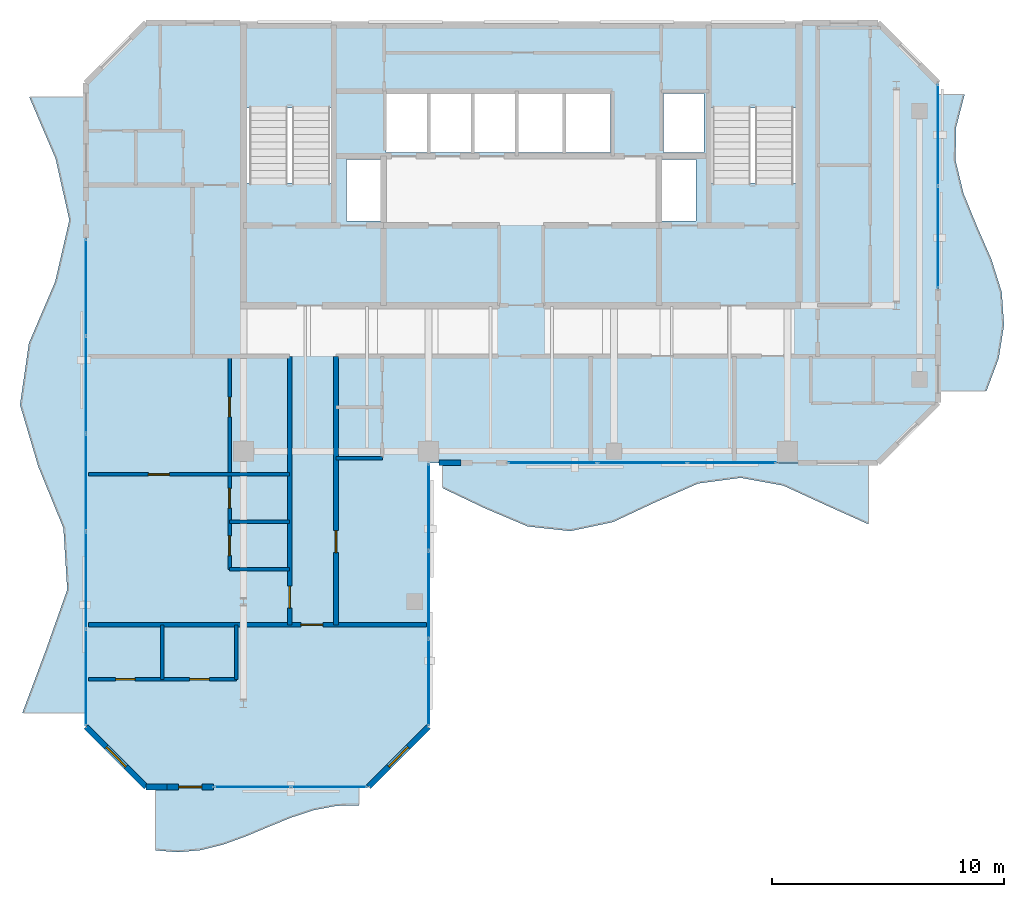
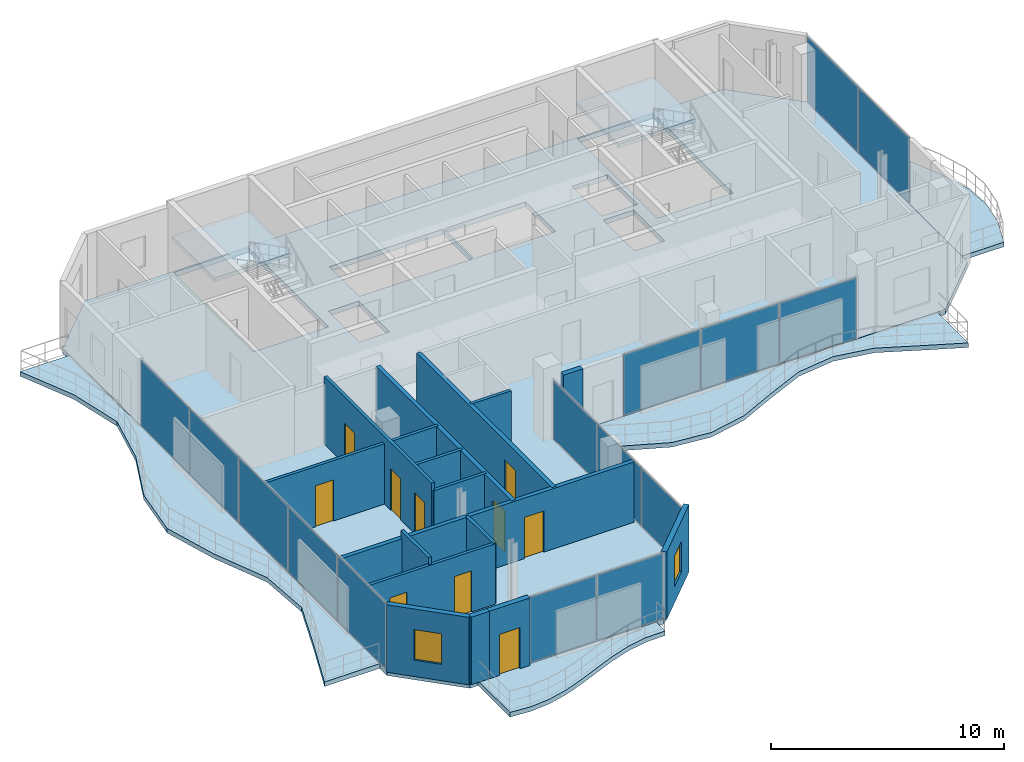
# One storey, part 12 of 17: 16 walls, 15 plates, 10 doors, 7 slabs, 2 windows, 12 openings, 7 elements without a shape of their own.
"""IFC4 building model written with IfcOpenShell, lengths in metres."""

from ifc_helpers import new_model, si_unit, direction, frame, frame_2d, origin, origin_2d, place, context, subcontext, project, spatial, polyline, rectangle, outline, extrude, material, layer, layer_set, type_object, element, fill, aggregate, save


model = new_model("IFC4")

# Units and contexts
model_context = context("Model", 3, precision=1e-05, world=origin(), true_north=direction((0.0, 1.0)))
body_context = subcontext(model_context, "Body", "Model", "MODEL_VIEW")
ifc_project = project(units=[si_unit("LENGTHUNIT", "METRE"), si_unit("AREAUNIT", "SQUARE_METRE"), si_unit("VOLUMEUNIT", "CUBIC_METRE"), si_unit("PLANEANGLEUNIT", "RADIAN"), si_unit("MASSUNIT", "GRAM", prefix="KILO")], contexts=[model_context])

# Site, building, storey
site_placement = place(None, origin())
site = spatial("IfcSite", under=ifc_project, at=site_placement, CompositionType="ELEMENT")
building_placement = place(site_placement, origin())
building = spatial("IfcBuilding", under=site, at=building_placement, Name="Catumbela Crestline Tower", CompositionType="ELEMENT")
storey_placement = place(building_placement, frame((0.0, 0.0, 271.6)))
storey = spatial("IfcBuildingStorey", under=building, at=storey_placement, Name="L70", CompositionType="ELEMENT", Elevation=271.6)

# Curtain wall, plates
ifc_material_1 = material(Name="Aluminium alloy AW-6060-T66", Category="aluminium")
ifc_layer_1 = layer(ifc_material_1, 0.18, Name="Aluminium alloy AW-6060-T66")
ifc_layer_set_1 = layer_set([ifc_layer_1], Name="Aluminium alloy AW-6060-T66")
curtain_wall_type = type_object("IfcCurtainWallType", Name="CWU-Z4", PredefinedType="USERDEFINED", material=ifc_layer_set_1)
curtain_wall_1_placement = place(storey_placement, origin())
curtain_wall_1 = element("IfcCurtainWall", 1, at=curtain_wall_1_placement, inside=storey, type_object=curtain_wall_type, Name="L70 Unitised Curtain Wall CW-L70-E0S2", ObjectType="UNITISED", PredefinedType="USERDEFINED")
ifc_material_2 = material(Name="Low-E laminated solar-control double glazing", Category="glass")
ifc_layer_2 = layer(ifc_material_2, 0.036, Name="Low-E laminated solar-control double glazing")
ifc_layer_set_2 = layer_set([ifc_layer_2], Name="Low-E laminated solar-control double glazing")
plate_type = type_object("IfcPlateType", Name="PNL-GLZ-Z4", PredefinedType="CURTAIN_PANEL", material=ifc_layer_set_2)
plate_1_placement = place(storey_placement, frame((16.3912, 10.0, 0.06), z_axis=(0.0, 0.0, 1.0), x_axis=(1.0, 0.0, 0.0)))
plate_1 = element("IfcPlate", 2, at=plate_1_placement, type_object=plate_type, Name="CWU-Z4 panel 1.1", PredefinedType="CURTAIN_PANEL", context=body_context, shape_type="SweptSolid", body=[
    extrude(rectangle(XDim=3.2525, YDim=0.034, at=origin_2d()), origin(), (0.0, 0.0, 1.0), 3.41),
])
plate_2_placement = place(storey_placement, frame((19.7087, 10.0, 0.06), z_axis=(0.0, 0.0, 1.0), x_axis=(1.0, 0.0, 0.0)))
plate_2 = element("IfcPlate", 3, at=plate_2_placement, type_object=plate_type, Name="CWU-Z4 panel 2.1", PredefinedType="CURTAIN_PANEL", context=body_context, shape_type="SweptSolid", body=[
    extrude(rectangle(XDim=3.2525, YDim=0.034, at=origin_2d()), origin(), (0.0, 0.0, 1.0), 3.41),
])
aggregate(curtain_wall_1, [plate_1, plate_2])

curtain_wall_2_placement = place(storey_placement, origin())
curtain_wall_2 = element("IfcCurtainWall", 4, at=curtain_wall_2_placement, inside=storey, type_object=curtain_wall_type, Name="L70 Unitised Curtain Wall CW-L70-E2S1", ObjectType="UNITISED", PredefinedType="USERDEFINED")
plate_3_placement = place(storey_placement, frame((24.0, 14.5162, 0.06), z_axis=(0.0, 0.0, 1.0), x_axis=(0.0, 1.0, 0.0)))
plate_3 = element("IfcPlate", 5, at=plate_3_placement, type_object=plate_type, Name="CWU-Z4 panel 1.1", PredefinedType="CURTAIN_PANEL", context=body_context, shape_type="SweptSolid", body=[
    extrude(rectangle(XDim=3.7025, YDim=0.034, at=origin_2d()), origin(), (0.0, 0.0, 1.0), 3.04),
])
plate_4_placement = place(storey_placement, frame((24.0, 18.3, 0.06), z_axis=(0.0, 0.0, 1.0), x_axis=(0.0, 1.0, 0.0)))
plate_4 = element("IfcPlate", 6, at=plate_4_placement, type_object=plate_type, Name="CWU-Z4 panel 2.1", PredefinedType="CURTAIN_PANEL", context=body_context, shape_type="SweptSolid", body=[
    extrude(rectangle(XDim=3.735, YDim=0.034, at=origin_2d()), origin(), (0.0, 0.0, 1.0), 3.04),
])
plate_5_placement = place(storey_placement, frame((24.0, 22.0837, 0.06), z_axis=(0.0, 0.0, 1.0), x_axis=(0.0, 1.0, 0.0)))
plate_5 = element("IfcPlate", 7, at=plate_5_placement, type_object=plate_type, Name="CWU-Z4 panel 3.1", PredefinedType="CURTAIN_PANEL", context=body_context, shape_type="SweptSolid", body=[
    extrude(rectangle(XDim=3.7025, YDim=0.034, at=origin_2d()), origin(), (0.0, 0.0, 1.0), 3.04),
])
aggregate(curtain_wall_2, [plate_3, plate_4, plate_5])

curtain_wall_3_placement = place(storey_placement, origin())
curtain_wall_3 = element("IfcCurtainWall", 8, at=curtain_wall_3_placement, inside=storey, type_object=curtain_wall_type, Name="L70 Unitised Curtain Wall CW-L70-E3S2", ObjectType="UNITISED", PredefinedType="USERDEFINED")
plate_6_placement = place(storey_placement, frame((29.3579, 24.0, 0.06), z_axis=(0.0, 0.0, 1.0), x_axis=(1.0, 0.0, 0.0)))
plate_6 = element("IfcPlate", 9, at=plate_6_placement, type_object=plate_type, Name="CWU-Z4 panel 1.1", PredefinedType="CURTAIN_PANEL", context=body_context, shape_type="SweptSolid", body=[
    extrude(rectangle(XDim=3.7858, YDim=0.034, at=origin_2d()), origin(), (0.0, 0.0, 1.0), 3.15),
])
plate_7_placement = place(storey_placement, frame((33.225, 24.0, 0.06), z_axis=(0.0, 0.0, 1.0), x_axis=(1.0, 0.0, 0.0)))
plate_7 = element("IfcPlate", 10, at=plate_7_placement, type_object=plate_type, Name="CWU-Z4 panel 2.1", PredefinedType="CURTAIN_PANEL", context=body_context, shape_type="SweptSolid", body=[
    extrude(rectangle(XDim=3.8183, YDim=0.034, at=origin_2d()), origin(), (0.0, 0.0, 1.0), 3.15),
])
plate_8_placement = place(storey_placement, frame((37.0921, 24.0, 0.06), z_axis=(0.0, 0.0, 1.0), x_axis=(1.0, 0.0, 0.0)))
plate_8 = element("IfcPlate", 11, at=plate_8_placement, type_object=plate_type, Name="CWU-Z4 panel 3.1", PredefinedType="CURTAIN_PANEL", context=body_context, shape_type="SweptSolid", body=[
    extrude(rectangle(XDim=3.7858, YDim=0.034, at=origin_2d()), origin(), (0.0, 0.0, 1.0), 3.15),
])
aggregate(curtain_wall_3, [plate_6, plate_7, plate_8])

curtain_wall_4_placement = place(storey_placement, origin())
curtain_wall_4 = element("IfcCurtainWall", 12, at=curtain_wall_4_placement, inside=storey, type_object=curtain_wall_type, Name="L70 Unitised Curtain Wall CW-L70-E5S2", ObjectType="UNITISED", PredefinedType="USERDEFINED")
plate_9_placement = place(storey_placement, frame((46.0, 33.7412, 0.06), z_axis=(0.0, 0.0, 1.0), x_axis=(0.0, 1.0, 0.0)))
plate_9 = element("IfcPlate", 13, at=plate_9_placement, type_object=plate_type, Name="CWU-Z4 panel 1.1", PredefinedType="CURTAIN_PANEL", context=body_context, shape_type="SweptSolid", body=[
    extrude(rectangle(XDim=4.3525, YDim=0.034, at=origin_2d()), origin(), (0.0, 0.0, 1.0), 3.41),
])
plate_10_placement = place(storey_placement, frame((46.0, 38.1588, 0.06), z_axis=(0.0, 0.0, 1.0), x_axis=(0.0, 1.0, 0.0)))
plate_10 = element("IfcPlate", 14, at=plate_10_placement, type_object=plate_type, Name="CWU-Z4 panel 2.1", PredefinedType="CURTAIN_PANEL", context=body_context, shape_type="SweptSolid", body=[
    extrude(rectangle(XDim=4.3525, YDim=0.034, at=origin_2d()), origin(), (0.0, 0.0, 1.0), 3.41),
])
aggregate(curtain_wall_4, [plate_9, plate_10])

curtain_wall_5_placement = place(storey_placement, origin())
curtain_wall_5 = element("IfcCurtainWall", 15, at=curtain_wall_5_placement, inside=storey, type_object=curtain_wall_type, Name="L70 Unitised Curtain Wall CW-L70-E9S2", ObjectType="UNITISED", PredefinedType="USERDEFINED")
plate_11_placement = place(storey_placement, frame((9.2, 31.5738, 0.06), z_axis=(0.0, 0.0, 1.0), x_axis=(0.0, -1.0, 0.0)))
plate_11 = element("IfcPlate", 16, at=plate_11_placement, type_object=plate_type, Name="CWU-Z4 panel 1.1", PredefinedType="CURTAIN_PANEL", context=body_context, shape_type="SweptSolid", body=[
    extrude(rectangle(XDim=4.1225, YDim=0.034, at=origin_2d()), origin(), (0.0, 0.0, 1.0), 3.41),
])
plate_12_placement = place(storey_placement, frame((9.2, 27.37, 0.06), z_axis=(0.0, 0.0, 1.0), x_axis=(0.0, -1.0, 0.0)))
plate_12 = element("IfcPlate", 17, at=plate_12_placement, type_object=plate_type, Name="CWU-Z4 panel 2.1", PredefinedType="CURTAIN_PANEL", context=body_context, shape_type="SweptSolid", body=[
    extrude(rectangle(XDim=4.155, YDim=0.034, at=origin_2d()), origin(), (0.0, 0.0, 1.0), 3.41),
])
plate_13_placement = place(storey_placement, frame((9.2, 23.15, 0.06), z_axis=(0.0, 0.0, 1.0), x_axis=(0.0, -1.0, 0.0)))
plate_13 = element("IfcPlate", 18, at=plate_13_placement, type_object=plate_type, Name="CWU-Z4 panel 3.1", PredefinedType="CURTAIN_PANEL", context=body_context, shape_type="SweptSolid", body=[
    extrude(rectangle(XDim=4.155, YDim=0.034, at=origin_2d()), origin(), (0.0, 0.0, 1.0), 3.41),
])
plate_14_placement = place(storey_placement, frame((9.2, 18.93, 0.06), z_axis=(0.0, 0.0, 1.0), x_axis=(0.0, -1.0, 0.0)))
plate_14 = element("IfcPlate", 19, at=plate_14_placement, type_object=plate_type, Name="CWU-Z4 panel 4.1", PredefinedType="CURTAIN_PANEL", context=body_context, shape_type="SweptSolid", body=[
    extrude(rectangle(XDim=4.155, YDim=0.034, at=origin_2d()), origin(), (0.0, 0.0, 1.0), 3.41),
])
plate_15_placement = place(storey_placement, frame((9.2, 14.7262, 0.06), z_axis=(0.0, 0.0, 1.0), x_axis=(0.0, -1.0, 0.0)))
plate_15 = element("IfcPlate", 20, at=plate_15_placement, type_object=plate_type, Name="CWU-Z4 panel 5.1", PredefinedType="CURTAIN_PANEL", context=body_context, shape_type="SweptSolid", body=[
    extrude(rectangle(XDim=4.1225, YDim=0.034, at=origin_2d()), origin(), (0.0, 0.0, 1.0), 3.41),
])
aggregate(curtain_wall_5, [plate_11, plate_12, plate_13, plate_14, plate_15])

# Stair, slab
ifc_material_3 = material(Name="Concrete C45/55", Category="concrete")
stair_type = type_object("IfcStairType", Name="ST-DLG", PredefinedType="HALF_TURN_STAIR", material=ifc_material_3)
stair_1_placement = place(storey_placement, origin())
stair_1 = element("IfcStair", 21, at=stair_1_placement, inside=storey, type_object=stair_type, Name="L70 West Core Pressurised Exit Stair ST-01", PredefinedType="HALF_TURN_STAIR")
ifc_layer_3 = layer(ifc_material_3, 0.2, Name="Concrete C45/55")
ifc_layer_set_3 = layer_set([ifc_layer_3], Name="Concrete C45/55")
slab_type_1 = type_object("IfcSlabType", Name="SL-LND", PredefinedType="LANDING", material=ifc_layer_set_3)
slab_1_placement = place(storey_placement, frame((0.0, 0.0, 1.7)))
slab_1 = element("IfcSlab", 22, at=slab_1_placement, type_object=slab_type_1, Name="ST-01 landing 1", PredefinedType="LANDING", context=body_context, shape_type="SweptSolid", body=[
    extrude(outline(polyline([(19.91, 39.33), (19.91, 42.96), (16.09, 42.96), (16.09, 39.33), (19.91, 39.33)])), origin(), (0.0, 0.0, 1.0), 0.2),
])
aggregate(stair_1, [slab_1])

stair_2_placement = place(storey_placement, origin())
stair_2 = element("IfcStair", 23, at=stair_2_placement, inside=storey, type_object=stair_type, Name="L70 East Core Pressurised Exit Stair ST-02", PredefinedType="HALF_TURN_STAIR")
slab_2_placement = place(storey_placement, frame((0.0, 0.0, 1.7)))
slab_2 = element("IfcSlab", 24, at=slab_2_placement, type_object=slab_type_1, Name="ST-02 landing 1", PredefinedType="LANDING", context=body_context, shape_type="SweptSolid", body=[
    extrude(outline(polyline([(39.91, 39.33), (39.91, 42.96), (36.09, 42.96), (36.09, 39.33), (39.91, 39.33)])), origin(), (0.0, 0.0, 1.0), 0.2),
])
aggregate(stair_2, [slab_2])

# Slabs
ifc_layer_4 = layer(ifc_material_3, 0.26, Name="Concrete C45/55")
ifc_layer_set_4 = layer_set([ifc_layer_4], Name="Concrete C45/55")
slab_type_2 = type_object("IfcSlabType", Name="SL-260", PredefinedType="FLOOR", material=ifc_layer_set_4)
slab_3_placement = place(storey_placement, frame((0.0, 0.0, -0.26)))
element("IfcSlab", 25, at=slab_3_placement, inside=storey, type_object=slab_type_2, Name="L70 Structural Floor Slab", PredefinedType="FLOOR", context=body_context, shape_type="SweptSolid", body=[
    extrude(outline(polyline([(11.8, 10.0), (21.4, 10.0), (24.0, 12.6), (24.0, 24.0), (43.4, 24.0), (46.0, 26.6), (46.0, 40.4), (43.4, 43.0), (11.8, 43.0), (9.2, 40.4), (9.2, 12.6), (11.8, 10.0)]), holes=[polyline([(16.13, 36.08), (19.87, 36.08), (19.87, 42.92), (16.13, 42.92), (16.13, 36.08)]), polyline([(36.13, 36.08), (39.87, 36.08), (39.87, 42.92), (36.13, 42.92), (36.13, 36.08)]), polyline([(22.15, 37.4), (27.75, 37.4), (27.75, 39.95), (22.15, 39.95), (22.15, 37.4)]), polyline([(27.85, 37.4), (31.85, 37.4), (31.85, 39.95), (27.85, 39.95), (27.85, 37.4)]), polyline([(20.45, 34.45), (21.95, 34.45), (21.95, 37.1), (20.45, 37.1), (20.45, 34.45)]), polyline([(34.05, 34.45), (35.55, 34.45), (35.55, 37.1), (34.05, 37.1), (34.05, 34.45)]), polyline([(34.15, 37.4), (35.9, 37.4), (35.9, 39.95), (34.15, 39.95), (34.15, 37.4)])]), origin(), (0.0, 0.0, 1.0), 0.26),
])
ifc_layer_5 = layer(ifc_material_3, 0.24, Name="Concrete C45/55")
ifc_layer_set_5 = layer_set([ifc_layer_5], Name="Concrete C45/55")
slab_type_3 = type_object("IfcSlabType", Name="SB-240W", PredefinedType="USERDEFINED", material=ifc_layer_set_5)
slab_4_placement = place(storey_placement, frame((0.0, 0.0, -0.24)))
element("IfcSlab", 26, at=slab_4_placement, inside=storey, type_object=slab_type_3, Name="L70 Cantilevered Wave Balcony Slab SPINE-S", ObjectType="BALCONY", PredefinedType="USERDEFINED", context=body_context, shape_type="SweptSolid", body=[
    extrude(outline(polyline([(24.6, 22.9053), (26.44, 22.0297), (28.28, 21.2503), (30.12, 21.05), (31.96, 21.439), (33.8, 22.3004), (35.64, 23.1051), (37.48, 23.35), (39.32, 23.0141), (41.16, 22.1698), (43.0, 21.3426), (43.0, 23.99), (24.6, 23.99), (24.6, 22.9053)])), origin(), (0.0, 0.0, 1.0), 0.24),
])
slab_5_placement = place(storey_placement, frame((0.0, 0.0, -0.24)))
element("IfcSlab", 27, at=slab_5_placement, inside=storey, type_object=slab_type_3, Name="L70 Cantilevered Wave Balcony Slab SPINE-E", ObjectType="BALCONY", PredefinedType="USERDEFINED", context=body_context, shape_type="SweptSolid", body=[
    extrude(outline(polyline([(46.01, 27.1), (48.0898, 27.1), (48.6237, 28.5222), (48.85, 29.9444), (48.7539, 31.3667), (48.3054, 32.7889), (47.6827, 34.2111), (47.1005, 35.6333), (46.7593, 37.0556), (46.7766, 38.4778), (47.1465, 39.9), (46.01, 39.9), (46.01, 27.1)])), origin(), (0.0, 0.0, 1.0), 0.24),
])
slab_6_placement = place(storey_placement, frame((0.0, 0.0, -0.24)))
element("IfcSlab", 28, at=slab_6_placement, inside=storey, type_object=slab_type_3, Name="L70 Cantilevered Wave Balcony Slab WING-S", ObjectType="BALCONY", PredefinedType="USERDEFINED", context=body_context, shape_type="SweptSolid", body=[
    extrude(outline(polyline([(12.2, 7.2602), (13.1778, 7.1801), (14.1556, 7.2687), (15.1333, 7.5113), (16.1111, 7.8679), (17.0889, 8.2794), (18.0667, 8.6778), (19.0444, 8.9971), (20.0222, 9.1846), (21.0, 9.2092), (21.0, 9.99), (12.2, 9.99), (12.2, 7.2602)])), origin(), (0.0, 0.0, 1.0), 0.24),
])
slab_7_placement = place(storey_placement, frame((0.0, 0.0, -0.24)))
element("IfcSlab", 29, at=slab_7_placement, inside=storey, type_object=slab_type_3, Name="L70 Cantilevered Wave Balcony Slab WEST", ObjectType="BALCONY", PredefinedType="USERDEFINED", context=body_context, shape_type="SweptSolid", body=[
    extrude(outline(polyline([(9.19, 39.8), (6.7486, 39.8), (7.886, 37.14), (8.4799, 34.48), (7.8663, 31.82), (6.7312, 29.16), (6.35, 26.5), (7.1377, 23.84), (8.2247, 21.18), (8.3895, 18.52), (7.4478, 15.86), (6.4527, 13.2), (9.19, 13.2), (9.19, 39.8)])), origin(), (0.0, 0.0, 1.0), 0.24),
])

# Wall, opening, door
ifc_material_4 = material(Name="Acoustic gypsum and mineral-wool partition")
ifc_layer_6 = layer(ifc_material_4, 0.2, Name="Acoustic gypsum and mineral-wool partition")
ifc_layer_set_6 = layer_set([ifc_layer_6], Name="Acoustic gypsum and mineral-wool partition")
wall_type_1 = type_object("IfcWallType", Name="WC-200", PredefinedType="PARTITIONING", material=ifc_layer_set_6)
wall_1_placement = place(storey_placement, frame((18.0, 17.0, 0.0), z_axis=(0.0, 0.0, 1.0), x_axis=(0.0, 1.0, 0.0)))
wall_1 = element("IfcWall", 30, at=wall_1_placement, inside=storey, type_object=wall_type_1, Name="L70 Interior Partition PW-L70-WL1-ENT", PredefinedType="PARTITIONING", context=body_context, shape_type="SweptSolid", body=[
    extrude(rectangle(XDim=11.6, YDim=0.2, at=frame_2d((5.8, 0.0))), origin(), (0.0, 0.0, 1.0), 3.16),
])
opening_1_placement = place(wall_1_placement, frame((0.723, 0.0, 0.0)))
opening_1 = element("IfcOpeningElement", 31, at=opening_1_placement, cuts=wall_1, Name="Opening DF6-095", PredefinedType="OPENING", context=body_context, shape_type="SweptSolid", body=[
    extrude(rectangle(XDim=0.95, YDim=2.15, at=frame_2d((0.475, 1.075))), frame((0.0, 0.11, 0.0), z_axis=(0.0, -1.0, 0.0), x_axis=(1.0, 0.0, 0.0)), (0.0, 0.0, 1.0), 0.22),
])
door_type_1 = type_object("IfcDoorType", Name="DF6-095", OperationType="NOTDEFINED", PredefinedType="DOOR", material=ifc_material_1)
door_1_placement = place(opening_1_placement, origin())
door_1 = element("IfcDoor", 32, at=door_1_placement, inside=storey, type_object=door_type_1, Name="L70 Interior Door DR-L70-WL1-ENT", OperationType="SINGLE_SWING_LEFT", OverallHeight=2.15, OverallWidth=0.95, PredefinedType="DOOR", context=body_context, shape_type="SweptSolid", body=[
    extrude(rectangle(XDim=0.95, YDim=2.15, at=frame_2d((0.475, 1.075))), frame((0.0, 0.025, 0.0), z_axis=(0.0, -1.0, 0.0), x_axis=(1.0, 0.0, 0.0)), (0.0, 0.0, 1.0), 0.05),
])
fill(opening_1, door_1)

wall_2_placement = place(storey_placement, frame((20.0, 17.0, 0.0), z_axis=(0.0, 0.0, 1.0), x_axis=(0.0, 1.0, 0.0)))
wall_2 = element("IfcWall", 33, at=wall_2_placement, inside=storey, type_object=wall_type_1, Name="L70 Interior Partition PW-L70-WR1-ENT", PredefinedType="PARTITIONING", context=body_context, shape_type="SweptSolid", body=[
    extrude(rectangle(XDim=11.6, YDim=0.2, at=frame_2d((5.8, 0.0))), origin(), (0.0, 0.0, 1.0), 3.16),
])
opening_2_placement = place(wall_2_placement, frame((3.125, 0.0, 0.0)))
opening_2 = element("IfcOpeningElement", 34, at=opening_2_placement, cuts=wall_2, Name="Opening DF6-095", PredefinedType="OPENING", context=body_context, shape_type="SweptSolid", body=[
    extrude(rectangle(XDim=0.95, YDim=2.15, at=frame_2d((0.475, 1.075))), frame((0.0, 0.11, 0.0), z_axis=(0.0, -1.0, 0.0), x_axis=(1.0, 0.0, 0.0)), (0.0, 0.0, 1.0), 0.22),
])
door_2_placement = place(opening_2_placement, origin())
door_2 = element("IfcDoor", 35, at=door_2_placement, inside=storey, type_object=door_type_1, Name="L70 Interior Door DR-L70-WR1-ENT", OperationType="SINGLE_SWING_LEFT", OverallHeight=2.15, OverallWidth=0.95, PredefinedType="DOOR", context=body_context, shape_type="SweptSolid", body=[
    extrude(rectangle(XDim=0.95, YDim=2.15, at=frame_2d((0.475, 1.075))), frame((0.0, 0.025, 0.0), z_axis=(0.0, -1.0, 0.0), x_axis=(1.0, 0.0, 0.0)), (0.0, 0.0, 1.0), 0.05),
])
fill(opening_2, door_2)

ifc_material_5 = material(Name="Angolan grey-ochre granite", Category="masonry")
ifc_layer_7 = layer(ifc_material_5, 0.25, Name="Angolan grey-ochre granite")
ifc_layer_set_7 = layer_set([ifc_layer_7], Name="Angolan grey-ochre granite")
wall_type_2 = type_object("IfcWallType", Name="WE-250", PredefinedType="STANDARD", material=ifc_layer_set_7)
wall_3_placement = place(storey_placement, frame((12.7, 10.0, 0.0), z_axis=(0.0, 0.0, 1.0), x_axis=(1.0, 0.0, 0.0)))
wall_3 = element("IfcWall", 36, at=wall_3_placement, inside=storey, type_object=wall_type_2, Name="L70 Exterior Threshold Portal Wall DR-L70-WBAL-3", PredefinedType="STANDARD", context=body_context, shape_type="SweptSolid", body=[
    extrude(rectangle(XDim=2.0, YDim=0.25, at=frame_2d((1.0, 0.0))), origin(), (0.0, 0.0, 1.0), 3.53),
])
opening_3_placement = place(wall_3_placement, frame((0.5, 0.0, 0.0)))
opening_3 = element("IfcOpeningElement", 37, at=opening_3_placement, cuts=wall_3, Name="Opening DB-L70-3", PredefinedType="OPENING", context=body_context, shape_type="SweptSolid", body=[
    extrude(rectangle(XDim=1.0, YDim=2.15, at=frame_2d((0.5, 1.075))), frame((0.0, 0.135, 0.0), z_axis=(0.0, -1.0, 0.0), x_axis=(1.0, 0.0, 0.0)), (0.0, 0.0, 1.0), 0.27),
])
door_type_2 = type_object("IfcDoorType", Name="DB-1000", OperationType="NOTDEFINED", PredefinedType="DOOR", material=ifc_material_1)
door_3_placement = place(opening_3_placement, origin())
door_3 = element("IfcDoor", 38, at=door_3_placement, inside=storey, type_object=door_type_2, Name="L70 Wave Balcony Terrace Door 3", OperationType="SINGLE_SWING_RIGHT", OverallHeight=2.15, OverallWidth=1.0, PredefinedType="DOOR", context=body_context, shape_type="SweptSolid", body=[
    extrude(rectangle(XDim=1.0, YDim=2.15, at=frame_2d((0.5, 1.075))), frame((0.0, 0.025, 0.0), z_axis=(0.0, -1.0, 0.0), x_axis=(1.0, 0.0, 0.0)), (0.0, 0.0, 1.0), 0.05),
])
fill(opening_3, door_3)

# Wall
wall_4_placement = place(storey_placement, frame((11.8, 10.0, 0.0), z_axis=(0.0, 0.0, 1.0), x_axis=(1.0, 0.0, 0.0)))
element("IfcWall", 39, at=wall_4_placement, inside=storey, type_object=wall_type_2, Name="L70 Granite Punched Window Wall 0-1", PredefinedType="STANDARD", context=body_context, shape_type="SweptSolid", body=[
    extrude(rectangle(XDim=0.9, YDim=0.25, at=frame_2d((0.45, 0.0))), origin(), (0.0, 0.0, 1.0), 3.53),
])

# Wall, opening, window
wall_5_placement = place(storey_placement, frame((21.4, 10.0, 0.0), z_axis=(0.0, 0.0, 1.0), x_axis=(0.707106781187, 0.707106781187, 0.0)))
wall_5 = element("IfcWall", 40, at=wall_5_placement, inside=storey, type_object=wall_type_2, Name="L70 Granite Punched Window Wall 1-1", PredefinedType="STANDARD", context=body_context, shape_type="SweptSolid", body=[
    extrude(rectangle(XDim=3.677, YDim=0.25, at=frame_2d((1.8385, 0.0))), origin(), (0.0, 0.0, 1.0), 3.53),
])
opening_4_placement = place(wall_5_placement, frame((1.2385, 0.0, 0.85)))
opening_4 = element("IfcOpeningElement", 41, at=opening_4_placement, cuts=wall_5, Name="Opening WN-02", PredefinedType="OPENING", context=body_context, shape_type="SweptSolid", body=[
    extrude(rectangle(XDim=1.2, YDim=1.6, at=frame_2d((0.6, 0.8))), frame((0.0, 0.135, 0.0), z_axis=(0.0, -1.0, 0.0), x_axis=(1.0, 0.0, 0.0)), (0.0, 0.0, 1.0), 0.27),
])
window_type = type_object("IfcWindowType", Name="WO-1200", PartitioningType="SINGLE_PANEL", PredefinedType="WINDOW", material=ifc_material_2)
window_1_placement = place(opening_4_placement, origin())
window_1 = element("IfcWindow", 42, at=window_1_placement, inside=storey, type_object=window_type, Name="L70 Facade Vision Window 552", OverallHeight=1.6, OverallWidth=1.2, PartitioningType="SINGLE_PANEL", PredefinedType="WINDOW", context=body_context, shape_type="SweptSolid", body=[
    extrude(rectangle(XDim=1.2, YDim=1.6, at=frame_2d((0.6, 0.8))), frame((0.0, 0.03, 0.0), z_axis=(0.0, -1.0, 0.0), x_axis=(1.0, 0.0, 0.0)), (0.0, 0.0, 1.0), 0.06),
])
fill(opening_4, window_1)

# Wall
wall_6_placement = place(storey_placement, frame((24.45, 24.0, 0.0), z_axis=(0.0, 0.0, 1.0), x_axis=(1.0, 0.0, 0.0)))
element("IfcWall", 43, at=wall_6_placement, inside=storey, type_object=wall_type_2, Name="L70 Granite Punched Window Wall 3-1", PredefinedType="STANDARD", context=body_context, shape_type="SweptSolid", body=[
    extrude(rectangle(XDim=0.95, YDim=0.25, at=frame_2d((0.475, 0.0))), origin(), (0.0, 0.0, 1.0), 3.27),
])

# Wall, opening, window
wall_7_placement = place(storey_placement, frame((9.2, 12.6, 0.0), z_axis=(0.0, 0.0, 1.0), x_axis=(0.707106781187, -0.707106781187, 0.0)))
wall_7 = element("IfcWall", 44, at=wall_7_placement, inside=storey, type_object=wall_type_2, Name="L70 Granite Punched Window Wall 10-1", PredefinedType="STANDARD", context=body_context, shape_type="SweptSolid", body=[
    extrude(rectangle(XDim=3.677, YDim=0.25, at=frame_2d((1.8385, 0.0))), origin(), (0.0, 0.0, 1.0), 3.53),
])
opening_5_placement = place(wall_7_placement, frame((1.2385, 0.0, 0.85)))
opening_5 = element("IfcOpeningElement", 45, at=opening_5_placement, cuts=wall_7, Name="Opening WN-02", PredefinedType="OPENING", context=body_context, shape_type="SweptSolid", body=[
    extrude(rectangle(XDim=1.2, YDim=1.6, at=frame_2d((0.6, 0.8))), frame((0.0, 0.135, 0.0), z_axis=(0.0, -1.0, 0.0), x_axis=(1.0, 0.0, 0.0)), (0.0, 0.0, 1.0), 0.27),
])
window_2_placement = place(opening_5_placement, origin())
window_2 = element("IfcWindow", 46, at=window_2_placement, inside=storey, type_object=window_type, Name="L70 Facade Vision Window 562", OverallHeight=1.6, OverallWidth=1.2, PartitioningType="SINGLE_PANEL", PredefinedType="WINDOW", context=body_context, shape_type="SweptSolid", body=[
    extrude(rectangle(XDim=1.2, YDim=1.6, at=frame_2d((0.6, 0.8))), frame((0.0, 0.03, 0.0), z_axis=(0.0, -1.0, 0.0), x_axis=(1.0, 0.0, 0.0)), (0.0, 0.0, 1.0), 0.06),
])
fill(opening_5, window_2)

# Walls
ifc_layer_8 = layer(ifc_material_4, 0.15, Name="Acoustic gypsum and mineral-wool partition")
ifc_layer_set_8 = layer_set([ifc_layer_8], Name="Acoustic gypsum and mineral-wool partition")
wall_type_3 = type_object("IfcWallType", Name="WP-150", PredefinedType="PARTITIONING", material=ifc_layer_set_8)
for number, where, z_axis, x_axis, name in (
    (47, (15.4, 19.396, 0.0), (0.0, 0.0, 1.0), (1.0, 0.0, 0.0), "L70 Interior Partition PW-L70-WL1-KBS"),
    (48, (15.4, 21.446, 0.0), (0.0, 0.0, 1.0), (1.0, 0.0, 0.0), "L70 Interior Partition PW-L70-WL1-KBM"),
):
    element("IfcWall", number, at=place(storey_placement, frame(where, z_axis=z_axis, x_axis=x_axis)), inside=storey, type_object=wall_type_3, Name=name, PredefinedType="PARTITIONING", context=body_context, shape_type="SweptSolid", body=[
        extrude(rectangle(XDim=2.6, YDim=0.15, at=frame_2d((1.3, 0.0))), origin(), (0.0, 0.0, 1.0), 3.16),
    ])

# Wall, opening, door
wall_8_placement = place(storey_placement, frame((9.3, 23.496, 0.0), z_axis=(0.0, 0.0, 1.0), x_axis=(1.0, 0.0, 0.0)))
wall_8 = element("IfcWall", 49, at=wall_8_placement, inside=storey, type_object=wall_type_3, Name="L70 Interior Partition PW-L70-WL1-KBN", PredefinedType="PARTITIONING", context=body_context, shape_type="SweptSolid", body=[
    extrude(rectangle(XDim=8.7, YDim=0.15, at=frame_2d((4.35, 0.0))), origin(), (0.0, 0.0, 1.0), 3.16),
])
opening_6_placement = place(wall_8_placement, frame((2.6, 0.0, 0.0)))
opening_6 = element("IfcOpeningElement", 50, at=opening_6_placement, cuts=wall_8, Name="Opening DI-090", PredefinedType="OPENING", context=body_context, shape_type="SweptSolid", body=[
    extrude(rectangle(XDim=0.9, YDim=2.15, at=frame_2d((0.45, 1.075))), frame((0.0, 0.085, 0.0), z_axis=(0.0, -1.0, 0.0), x_axis=(1.0, 0.0, 0.0)), (0.0, 0.0, 1.0), 0.17),
])
door_type_3 = type_object("IfcDoorType", Name="DI-090", OperationType="NOTDEFINED", PredefinedType="DOOR", material=ifc_material_1)
door_4_placement = place(opening_6_placement, origin())
door_4 = element("IfcDoor", 51, at=door_4_placement, inside=storey, type_object=door_type_3, Name="L70 Interior Door DR-L70-WL1-BD1", OperationType="SINGLE_SWING_LEFT", OverallHeight=2.15, OverallWidth=0.9, PredefinedType="DOOR", context=body_context, shape_type="SweptSolid", body=[
    extrude(rectangle(XDim=0.9, YDim=2.15, at=frame_2d((0.45, 1.075))), frame((0.0, 0.025, 0.0), z_axis=(0.0, -1.0, 0.0), x_axis=(1.0, 0.0, 0.0)), (0.0, 0.0, 1.0), 0.05),
])
fill(opening_6, door_4)

# Wall, openings, doors
wall_9_placement = place(storey_placement, frame((15.4, 19.396, 0.0), z_axis=(0.0, 0.0, 1.0), x_axis=(0.0, 1.0, 0.0)))
wall_9 = element("IfcWall", 52, at=wall_9_placement, inside=storey, type_object=wall_type_3, Name="L70 Interior Partition PW-L70-WL1-LK", PredefinedType="PARTITIONING", context=body_context, shape_type="SweptSolid", body=[
    extrude(rectangle(XDim=9.204, YDim=0.15, at=frame_2d((4.602, 0.0))), origin(), (0.0, 0.0, 1.0), 3.53),
])
opening_7_placement = place(wall_9_placement, frame((0.6, 0.0, 0.0)))
opening_7 = element("IfcOpeningElement", 53, at=opening_7_placement, cuts=wall_9, Name="Opening DI-085", PredefinedType="OPENING", context=body_context, shape_type="SweptSolid", body=[
    extrude(rectangle(XDim=0.85, YDim=2.15, at=frame_2d((0.425, 1.075))), frame((0.0, 0.085, 0.0), z_axis=(0.0, -1.0, 0.0), x_axis=(1.0, 0.0, 0.0)), (0.0, 0.0, 1.0), 0.17),
])
opening_8_placement = place(wall_9_placement, frame((2.65, 0.0, 0.0)))
opening_8 = element("IfcOpeningElement", 54, at=opening_8_placement, cuts=wall_9, Name="Opening DI-085", PredefinedType="OPENING", context=body_context, shape_type="SweptSolid", body=[
    extrude(rectangle(XDim=0.85, YDim=2.15, at=frame_2d((0.425, 1.075))), frame((0.0, 0.085, 0.0), z_axis=(0.0, -1.0, 0.0), x_axis=(1.0, 0.0, 0.0)), (0.0, 0.0, 1.0), 0.17),
])
opening_9_placement = place(wall_9_placement, frame((6.5927, 0.0, 0.0)))
opening_9 = element("IfcOpeningElement", 55, at=opening_9_placement, cuts=wall_9, Name="Opening DI-085", PredefinedType="OPENING", context=body_context, shape_type="SweptSolid", body=[
    extrude(rectangle(XDim=0.85, YDim=2.15, at=frame_2d((0.425, 1.075))), frame((0.0, 0.085, 0.0), z_axis=(0.0, -1.0, 0.0), x_axis=(1.0, 0.0, 0.0)), (0.0, 0.0, 1.0), 0.17),
])
door_type_4 = type_object("IfcDoorType", Name="DI-085", OperationType="NOTDEFINED", PredefinedType="DOOR", material=ifc_material_1)
door_5_placement = place(opening_7_placement, origin())
door_5 = element("IfcDoor", 56, at=door_5_placement, inside=storey, type_object=door_type_4, Name="L70 Interior Door DR-L70-WL1-KIT", OperationType="SINGLE_SWING_LEFT", OverallHeight=2.15, OverallWidth=0.85, PredefinedType="DOOR", context=body_context, shape_type="SweptSolid", body=[
    extrude(rectangle(XDim=0.85, YDim=2.15, at=frame_2d((0.425, 1.075))), frame((0.0, 0.025, 0.0), z_axis=(0.0, -1.0, 0.0), x_axis=(1.0, 0.0, 0.0)), (0.0, 0.0, 1.0), 0.05),
])
fill(opening_7, door_5)
door_6_placement = place(opening_8_placement, origin())
door_6 = element("IfcDoor", 57, at=door_6_placement, inside=storey, type_object=door_type_4, Name="L70 Interior Door DR-L70-WL1-BTH", OperationType="SINGLE_SWING_RIGHT", OverallHeight=2.15, OverallWidth=0.85, PredefinedType="DOOR", context=body_context, shape_type="SweptSolid", body=[
    extrude(rectangle(XDim=0.85, YDim=2.15, at=frame_2d((0.425, 1.075))), frame((0.0, 0.025, 0.0), z_axis=(0.0, -1.0, 0.0), x_axis=(1.0, 0.0, 0.0)), (0.0, 0.0, 1.0), 0.05),
])
fill(opening_8, door_6)
door_7_placement = place(opening_9_placement, origin())
door_7 = element("IfcDoor", 58, at=door_7_placement, inside=storey, type_object=door_type_4, Name="L70 Interior Door DR-L70-WL1-WIR", OperationType="SINGLE_SWING_LEFT", OverallHeight=2.15, OverallWidth=0.85, PredefinedType="DOOR", context=body_context, shape_type="SweptSolid", body=[
    extrude(rectangle(XDim=0.85, YDim=2.15, at=frame_2d((0.425, 1.075))), frame((0.0, 0.025, 0.0), z_axis=(0.0, -1.0, 0.0), x_axis=(1.0, 0.0, 0.0)), (0.0, 0.0, 1.0), 0.05),
])
fill(opening_9, door_7)

# Walls
wall_10_placement = place(storey_placement, frame((20.0, 24.2, 0.0), z_axis=(0.0, 0.0, 1.0), x_axis=(1.0, 0.0, 0.0)))
element("IfcWall", 59, at=wall_10_placement, inside=storey, type_object=wall_type_3, Name="L70 Interior Partition PW-L70-WR1-KBS", PredefinedType="PARTITIONING", context=body_context, shape_type="SweptSolid", body=[
    extrude(rectangle(XDim=2.0, YDim=0.15, at=frame_2d((1.0, 0.0))), origin(), (0.0, 0.0, 1.0), 3.16),
])
wall_11_placement = place(storey_placement, frame((15.7, 14.65, 0.0), z_axis=(0.0, 0.0, 1.0), x_axis=(0.0, 1.0, 0.0)))
element("IfcWall", 60, at=wall_11_placement, inside=storey, type_object=wall_type_3, Name="L70 Interior Partition PW-L70-SH1-KBE", PredefinedType="PARTITIONING", context=body_context, shape_type="SweptSolid", body=[
    extrude(rectangle(XDim=2.35, YDim=0.15, at=frame_2d((1.175, 0.0))), origin(), (0.0, 0.0, 1.0), 3.16),
])
wall_12_placement = place(storey_placement, frame((12.5, 14.65, 0.0), z_axis=(0.0, 0.0, 1.0), x_axis=(0.0, 1.0, 0.0)))
element("IfcWall", 61, at=wall_12_placement, inside=storey, type_object=wall_type_3, Name="L70 Interior Partition PW-L70-SH1-KBM", PredefinedType="PARTITIONING", context=body_context, shape_type="SweptSolid", body=[
    extrude(rectangle(XDim=2.35, YDim=0.15, at=frame_2d((1.175, 0.0))), origin(), (0.0, 0.0, 1.0), 3.53),
])

# Wall, openings, doors
wall_13_placement = place(storey_placement, frame((9.3, 14.65, 0.0), z_axis=(0.0, 0.0, 1.0), x_axis=(1.0, 0.0, 0.0)))
wall_13 = element("IfcWall", 62, at=wall_13_placement, inside=storey, type_object=wall_type_3, Name="L70 Interior Partition PW-L70-SH1-KBD1", PredefinedType="PARTITIONING", context=body_context, shape_type="SweptSolid", body=[
    extrude(rectangle(XDim=6.4, YDim=0.15, at=frame_2d((3.2, 0.0))), origin(), (0.0, 0.0, 1.0), 3.16),
])
opening_10_placement = place(wall_13_placement, frame((1.175, 0.0, 0.0)))
opening_10 = element("IfcOpeningElement", 63, at=opening_10_placement, cuts=wall_13, Name="Opening DI-085", PredefinedType="OPENING", context=body_context, shape_type="SweptSolid", body=[
    extrude(rectangle(XDim=0.85, YDim=2.15, at=frame_2d((0.425, 1.075))), frame((0.0, 0.085, 0.0), z_axis=(0.0, -1.0, 0.0), x_axis=(1.0, 0.0, 0.0)), (0.0, 0.0, 1.0), 0.17),
])
opening_11_placement = place(wall_13_placement, frame((4.375, 0.0, 0.0)))
opening_11 = element("IfcOpeningElement", 64, at=opening_11_placement, cuts=wall_13, Name="Opening DI-085", PredefinedType="OPENING", context=body_context, shape_type="SweptSolid", body=[
    extrude(rectangle(XDim=0.85, YDim=2.15, at=frame_2d((0.425, 1.075))), frame((0.0, 0.085, 0.0), z_axis=(0.0, -1.0, 0.0), x_axis=(1.0, 0.0, 0.0)), (0.0, 0.0, 1.0), 0.17),
])
door_8_placement = place(opening_10_placement, origin())
door_8 = element("IfcDoor", 65, at=door_8_placement, inside=storey, type_object=door_type_4, Name="L70 Interior Door DR-L70-SH1-KIT", OperationType="SINGLE_SWING_LEFT", OverallHeight=2.15, OverallWidth=0.85, PredefinedType="DOOR", context=body_context, shape_type="SweptSolid", body=[
    extrude(rectangle(XDim=0.85, YDim=2.15, at=frame_2d((0.425, 1.075))), frame((0.0, 0.025, 0.0), z_axis=(0.0, -1.0, 0.0), x_axis=(1.0, 0.0, 0.0)), (0.0, 0.0, 1.0), 0.05),
])
fill(opening_10, door_8)
door_9_placement = place(opening_11_placement, origin())
door_9 = element("IfcDoor", 66, at=door_9_placement, inside=storey, type_object=door_type_4, Name="L70 Interior Door DR-L70-SH1-BTH", OperationType="SINGLE_SWING_RIGHT", OverallHeight=2.15, OverallWidth=0.85, PredefinedType="DOOR", context=body_context, shape_type="SweptSolid", body=[
    extrude(rectangle(XDim=0.85, YDim=2.15, at=frame_2d((0.425, 1.075))), frame((0.0, 0.025, 0.0), z_axis=(0.0, -1.0, 0.0), x_axis=(1.0, 0.0, 0.0)), (0.0, 0.0, 1.0), 0.05),
])
fill(opening_11, door_9)

# Wall, opening, door
ifc_layer_9 = layer(ifc_material_4, 0.2, Name="Acoustic gypsum and mineral-wool partition")
ifc_layer_set_9 = layer_set([ifc_layer_9], Name="Acoustic gypsum and mineral-wool partition")
wall_type_4 = type_object("IfcWallType", Name="WY-200", PredefinedType="PARTITIONING", material=ifc_layer_set_9)
wall_14_placement = place(storey_placement, frame((9.3, 17.0, 0.0), z_axis=(0.0, 0.0, 1.0), x_axis=(1.0, 0.0, 0.0)))
wall_14 = element("IfcWall", 67, at=wall_14_placement, inside=storey, type_object=wall_type_4, Name="L70 Interior Partition PW-L70-SH-WL", PredefinedType="PARTITIONING", context=body_context, shape_type="SweptSolid", body=[
    extrude(rectangle(XDim=14.6, YDim=0.2, at=frame_2d((7.3, 0.0))), origin(), (0.0, 0.0, 1.0), 3.16),
])
opening_12_placement = place(wall_14_placement, frame((9.186, 0.0, 0.0)))
opening_12 = element("IfcOpeningElement", 68, at=opening_12_placement, cuts=wall_14, Name="Opening DF6-095", PredefinedType="OPENING", context=body_context, shape_type="SweptSolid", body=[
    extrude(rectangle(XDim=0.95, YDim=2.15, at=frame_2d((0.475, 1.075))), frame((0.0, 0.11, 0.0), z_axis=(0.0, -1.0, 0.0), x_axis=(1.0, 0.0, 0.0)), (0.0, 0.0, 1.0), 0.22),
])
door_10_placement = place(opening_12_placement, origin())
door_10 = element("IfcDoor", 69, at=door_10_placement, inside=storey, type_object=door_type_1, Name="L70 Interior Door DR-L70-SH1-ENT", OperationType="SINGLE_SWING_LEFT", OverallHeight=2.15, OverallWidth=0.95, PredefinedType="DOOR", context=body_context, shape_type="SweptSolid", body=[
    extrude(rectangle(XDim=0.95, YDim=2.15, at=frame_2d((0.475, 1.075))), frame((0.0, 0.025, 0.0), z_axis=(0.0, -1.0, 0.0), x_axis=(1.0, 0.0, 0.0)), (0.0, 0.0, 1.0), 0.05),
])
fill(opening_12, door_10)

save(model, "model.ifc")
